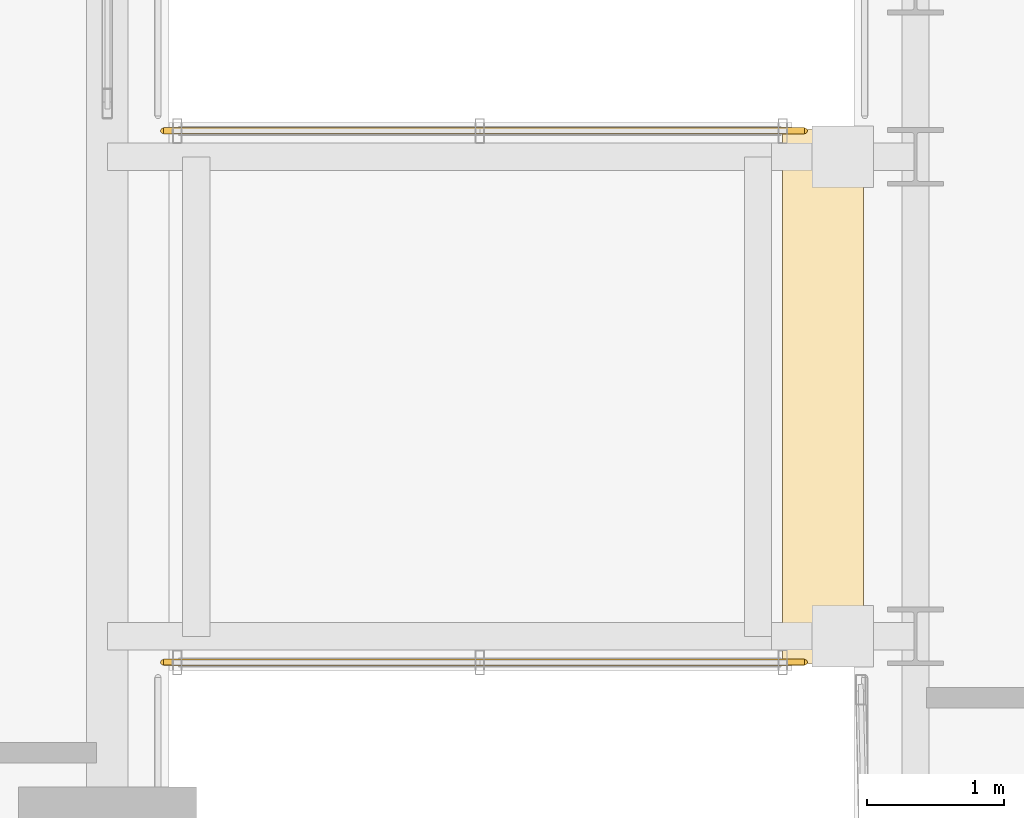
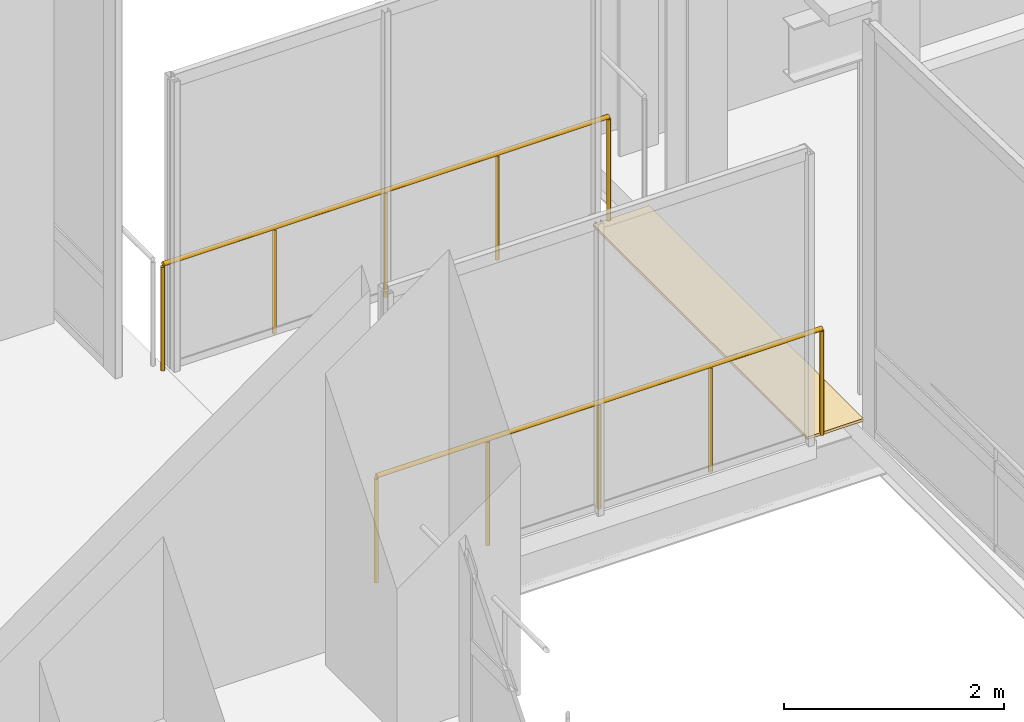
# One storey, part 27 of 32: 2 railings, 1 covering.
"""IFC4 building model written with IfcOpenShell, lengths in metres."""

from ifc_helpers import new_model, si_unit, direction, frame, origin, origin_2d, place, context, subcontext, project, spatial, polyline, circle, outline, extrude, material, layer, layer_set, type_object, element, save


model = new_model("IFC4")

# Units and contexts
model_context = context("Model", 3, precision=1e-05, world=origin(), true_north=direction((0.0, 1.0)))
body_context = subcontext(model_context, "Body", "Model", "MODEL_VIEW")
ifc_project = project(units=[si_unit("LENGTHUNIT", "METRE"), si_unit("AREAUNIT", "SQUARE_METRE"), si_unit("VOLUMEUNIT", "CUBIC_METRE"), si_unit("PLANEANGLEUNIT", "RADIAN"), si_unit("MASSUNIT", "GRAM", prefix="KILO")], contexts=[model_context])

# Site, building, storey
site_placement = place(None, origin())
site = spatial("IfcSite", under=ifc_project, at=site_placement, CompositionType="ELEMENT")
building_placement = place(site_placement, origin())
building = spatial("IfcBuilding", under=site, at=building_placement, Name="Noeulbin Bourse Tower", CompositionType="ELEMENT")
storey_placement = place(building_placement, frame((0.0, 0.0, 5.800048828125)))
storey = spatial("IfcBuildingStorey", under=building, at=storey_placement, Name="L02", CompositionType="ELEMENT", Elevation=5.800048828125)

# Covering
ifc_material_1 = material(Name="Honed Geumjeong Granite Paving", Category="masonry")
ifc_layer_1 = layer(ifc_material_1, 0.030029296875)
ifc_layer_set_1 = layer_set([ifc_layer_1], Name="Honed Geumjeong Granite Paving")
covering_type = type_object("IfcCoveringType", Name="COV-FLR-STN", PredefinedType="FLOORING", material=ifc_layer_set_1)
covering_placement = place(storey_placement, origin())
element("IfcCovering", 1, at=covering_placement, inside=storey, type_object=covering_type, Name="Seismic Expansion Joint Floor Cover L02", PredefinedType="FLOORING", context=body_context, shape_type="SweptSolid", body=[
    extrude(outline(polyline([(59.47998046875, 21.550048828125), (60.070068359375, 21.550048828125), (60.070068359375, 25.449951171875), (59.47998046875, 25.449951171875), (59.47998046875, 21.550048828125)])), origin(), (0.0, 0.0, 1.0), 0.030029296875),
])

# Railings
ifc_material_2 = material(Name="Stainless Steel 316 Post and Rail", Category="steel")
ifc_layer_2 = layer(ifc_material_2, 0.06005859375)
ifc_layer_set_2 = layer_set([ifc_layer_2], Name="Stainless Steel 316 Post and Rail")
railing_type = type_object("IfcRailingType", Name="RLG-TER-1200", PredefinedType="GUARDRAIL", material=ifc_layer_set_2)
for number, where, name in (
    (2, (54.9599609375, 21.56005859375, 0.0), "Bridge South Edge Guard L02"),
    (3, (54.9599609375, 25.43994140625, 0.0), "Bridge North Edge Guard L02"),
):
    element("IfcRailing", number, at=place(storey_placement, frame(where)), inside=storey, type_object=railing_type, Name=name, PredefinedType="GUARDRAIL", context=body_context, shape_type="SweptSolid", body=[
        extrude(circle(Radius=0.02392578125, at=origin_2d()), frame((0.0, 0.0, 1.17578125), z_axis=(1.0, 0.0, 0.0), x_axis=(0.0, 1.0, 0.0)), (0.0, 0.0, 1.0), 4.679931640625),
        extrude(circle(Radius=0.02099609375, at=origin_2d()), origin(), (0.0, 0.0, 1.0), 1.15185546875),
        extrude(circle(Radius=0.02099609375, at=origin_2d()), frame((1.169921875, 0.0, 0.0)), (0.0, 0.0, 1.0), 1.15185546875),
        extrude(circle(Radius=0.02099609375, at=origin_2d()), frame((2.33984375, 0.0, 0.0)), (0.0, 0.0, 1.0), 1.15185546875),
        extrude(circle(Radius=0.02099609375, at=origin_2d()), frame((3.510009765625, 0.0, 0.0)), (0.0, 0.0, 1.0), 1.15185546875),
        extrude(circle(Radius=0.02099609375, at=origin_2d()), frame((4.679931640625, 0.0, 0.0)), (0.0, 0.0, 1.0), 1.15185546875),
    ])

save(model, "model.ifc")
